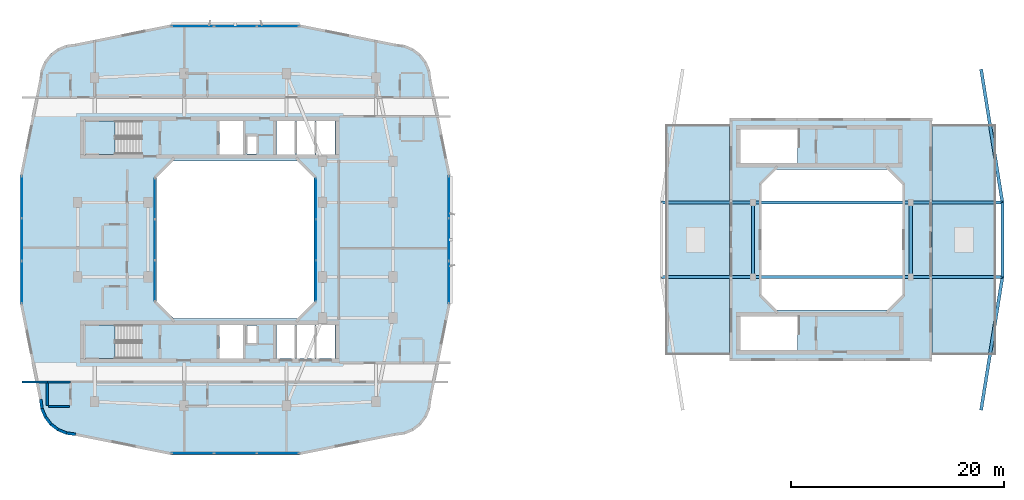
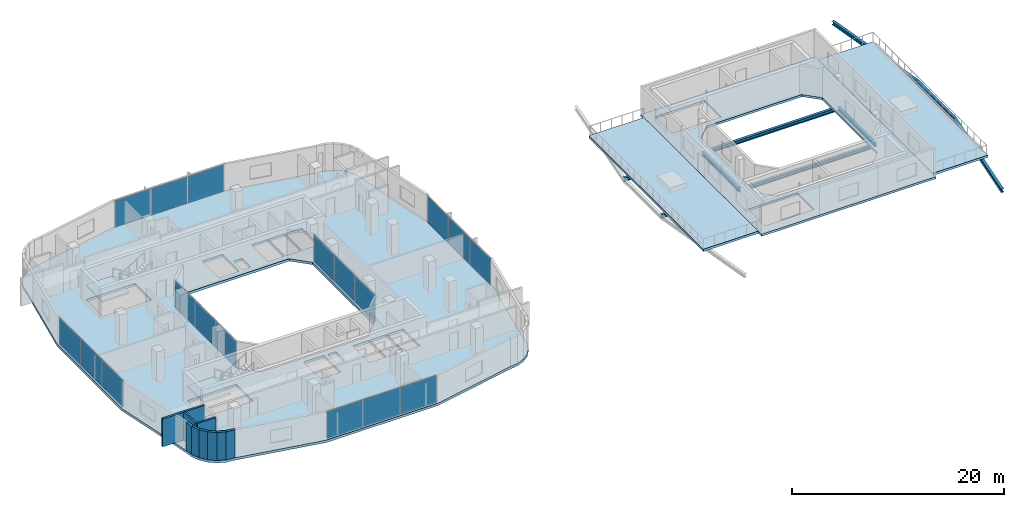
# One storey, part 7 of 18: 18 plates, 11 beams, 10 walls, 6 slabs, 8 elements without a shape of their own.
"""IFC4 building model written with IfcOpenShell, lengths in metres."""

import ifcopenshell
import ifcopenshell.guid

model = None  # the IFC model being written
_history = None  # IfcOwnerHistory: only IFC2X3 demands one
_inside = {}  # id of a spatial element -> (the spatial element, [elements in it])
_under = {}  # id of a project, library or spatial element -> (it, [spatial elements below it])
_declared = {}  # id of a project -> (the project, [libraries it declares])
_typed = {}  # id of a type object -> (the type object, [elements of that type])
_made_of = {}  # id of a material, layer set ... -> (it, [elements and type objects made of it])


def new_model(schema):
    """Start an empty IFC model of exactly this schema.

    Asked for "IFC4X3", IfcOpenShell would pick the latest addendum, in which some entities
    have other attributes; the version numbers below select the first issue.
    IFC2X3 requires an IfcOwnerHistory on every rooted entity: one is made here for all.
    """
    global model, _history
    if schema == "IFC4X3":
        model = ifcopenshell.file(schema_version=(4, 3, 0, 0))
    else:
        model = ifcopenshell.file(schema=schema)
    _inside.clear()
    _under.clear()
    _declared.clear()
    _typed.clear()
    _made_of.clear()
    _history = None
    if model.schema == "IFC2X3":
        org = make("IfcOrganization", Name="unknown")
        user = make(
            "IfcPersonAndOrganization",
            ThePerson=make("IfcPerson", FamilyName="unknown"),
            TheOrganization=org,
        )
        app = make(
            "IfcApplication",
            ApplicationDeveloper=org,
            Version="unknown",
            ApplicationFullName="unknown",
            ApplicationIdentifier="unknown",
        )
        _history = make(
            "IfcOwnerHistory",
            OwningUser=user,
            OwningApplication=app,
            ChangeAction="ADDED",
            CreationDate=0,
        )
    return model


def make(cls, **values):
    """One entity of the class cls with the attributes given. An attribute that is None is left unset."""
    return model.create_entity(
        cls, **{name: value for name, value in values.items() if value is not None}
    )


def rooted(cls, **values):
    """An entity with a GlobalId (a new one), such as an element, a storey or a relation."""
    return make(cls, GlobalId=ifcopenshell.guid.new(), OwnerHistory=_history, **values)


def si_unit(unit_type, name, prefix=None):
    """IfcSIUnit, for example si_unit("LENGTHUNIT", "METRE", prefix="MILLI")."""
    return make("IfcSIUnit", UnitType=unit_type, Prefix=prefix, Name=name)


def derived_unit(unit_type, elements):
    """IfcDerivedUnit: a product of units, each with its exponent."""
    return make(
        "IfcDerivedUnit",
        Elements=[
            make("IfcDerivedUnitElement", Unit=unit, Exponent=power)
            for unit, power in elements
        ],
        UnitType=unit_type,
    )


def assignment(units):
    """IfcUnitAssignment: the units of a project."""
    return None if units is None else make("IfcUnitAssignment", Units=units)


def point(xyz):
    """IfcCartesianPoint."""
    return None if xyz is None else make("IfcCartesianPoint", Coordinates=xyz)


def direction(xyz):
    """IfcDirection."""
    return None if xyz is None else make("IfcDirection", DirectionRatios=xyz)


def frame(location, z_axis=None, x_axis=None):
    """IfcAxis2Placement3D, a coordinate frame: its origin and axes. An axis left out is left unset."""
    return make(
        "IfcAxis2Placement3D",
        Location=point(location),
        Axis=direction(z_axis),
        RefDirection=direction(x_axis),
    )


def frame_2d(location, x_axis=None):
    """IfcAxis2Placement2D, a coordinate frame in the plane: its origin and x axis."""
    return make(
        "IfcAxis2Placement2D", Location=point(location), RefDirection=direction(x_axis)
    )


def origin():
    """The frame at (0, 0, 0) with its axes left unset."""
    return frame((0.0, 0.0, 0.0))


def origin_2d():
    """The frame at (0, 0) in the plane with its x axis left unset."""
    return frame_2d((0.0, 0.0))


def place(relative_to, where):
    """IfcLocalPlacement: puts the frame where relative to a parent placement (None: the world)."""
    return make(
        "IfcLocalPlacement", PlacementRelTo=relative_to, RelativePlacement=where
    )


def context(
    kind, dimensions, precision=None, world=None, true_north=None, identifier=None
):
    """IfcGeometricRepresentationContext, for example the 3D "Model" context."""
    return make(
        "IfcGeometricRepresentationContext",
        ContextIdentifier=identifier,
        ContextType=kind,
        CoordinateSpaceDimension=dimensions,
        Precision=precision,
        WorldCoordinateSystem=world,
        TrueNorth=true_north,
    )


def subcontext(parent, identifier, kind, view, scale=None):
    """IfcGeometricRepresentationSubContext, for example "Body" below "Model"."""
    return make(
        "IfcGeometricRepresentationSubContext",
        ContextIdentifier=identifier,
        ContextType=kind,
        ParentContext=parent,
        TargetScale=scale,
        TargetView=view,
    )


def project(units=None, contexts=None):
    """IfcProject with its units and contexts."""
    return rooted(
        "IfcProject",
        Name="project",
        RepresentationContexts=contexts,
        UnitsInContext=assignment(units),
    )


def spatial(cls, under=None, at=None, **own):
    """A site, building, storey or space (cls), placed at a placement, below another one or the project."""
    s = rooted(cls, ObjectPlacement=at, **own)
    if under is not None:
        _under.setdefault(under.id(), (under, []))[1].append(s)
    return s


def polyline(points):
    """IfcPolyline through the points."""
    return make("IfcPolyline", Points=[point(p) for p in points])


def profile(cls, at=None, kind="AREA", **sizes):
    """A parametric profile (cls). Its sizes go by their IFC names, for example OverallWidth=200.0."""
    return make(cls, ProfileType=kind, Position=at, **sizes)


def rectangle(**sizes):
    """IfcRectangleProfileDef."""
    return profile("IfcRectangleProfileDef", **sizes)


def i_section(**sizes):
    """IfcIShapeProfileDef."""
    return profile("IfcIShapeProfileDef", **sizes)


def outline(outer, holes=None, kind="AREA"):
    """IfcArbitraryClosedProfileDef: a profile drawn as a closed curve; with holes, ...WithVoids."""
    if holes is None:
        return make("IfcArbitraryClosedProfileDef", ProfileType=kind, OuterCurve=outer)
    return make(
        "IfcArbitraryProfileDefWithVoids",
        ProfileType=kind,
        OuterCurve=outer,
        InnerCurves=holes,
    )


def extrude(swept, where, along, depth):
    """IfcExtrudedAreaSolid: the profile swept, set in the frame where, extruded along a direction by depth."""
    return make(
        "IfcExtrudedAreaSolid",
        SweptArea=swept,
        Position=where,
        ExtrudedDirection=direction(along),
        Depth=depth,
    )


def shape(context_of_items, identifier, shape_type, items):
    """IfcShapeRepresentation: the items that make up one representation, for example the "Body"."""
    return make(
        "IfcShapeRepresentation",
        ContextOfItems=context_of_items,
        RepresentationIdentifier=identifier,
        RepresentationType=shape_type,
        Items=items,
    )


def material(Name=None, Category=None):
    """IfcMaterial."""
    return make("IfcMaterial", Name=Name, Category=Category)


def layer(
    of_material, thickness, ventilated=None, Name=None, Category=None, Priority=None
):
    """IfcMaterialLayer: one layer of a wall or slab, of a material (None: an air gap)."""
    return make(
        "IfcMaterialLayer",
        Material=of_material,
        LayerThickness=thickness,
        IsVentilated=ventilated,
        Name=Name,
        Category=Category,
        Priority=Priority,
    )


def layer_set(layers, Name=None):
    """IfcMaterialLayerSet."""
    return make("IfcMaterialLayerSet", MaterialLayers=layers, LayerSetName=Name)


def material_profile(
    of_material, cross_section, Name=None, Category=None, Priority=None
):
    """IfcMaterialProfile: a cross section and its material."""
    return make(
        "IfcMaterialProfile",
        Name=Name,
        Material=of_material,
        Profile=cross_section,
        Priority=Priority,
        Category=Category,
    )


def profile_set(profiles, Name=None, composite=None):
    """IfcMaterialProfileSet."""
    return make(
        "IfcMaterialProfileSet",
        Name=Name,
        MaterialProfiles=profiles,
        CompositeProfile=composite,
    )


def made_of(thing, what):
    """Note that an element or type object is made of a material, layer set ...; save() writes the relation."""
    if what is not None:
        _made_of.setdefault(what.id(), (what, []))[1].append(thing)
    return thing


def type_object(cls, material=None, **own):
    """A type object (cls), such as IfcWallType, which elements share."""
    return made_of(rooted(cls, **own), material)


def element(
    cls,
    number,
    at=None,
    inside=None,
    cuts=None,
    type_object=None,
    material=None,
    context=None,
    identifier="Body",
    shape_type=None,
    held_by="IfcProductDefinitionShape",
    body=None,
    shapes=None,
    **own,
):
    """One element of the class cls, such as IfcWall. Its Tag is "e" and its number.

    at: its placement. inside: the storey or other place that contains it. cuts: it is an
    opening in that element (IfcRelVoidsElement). A single representation is given by context,
    identifier, shape_type and body (its items); several are given by shapes. held_by: the class
    of the entity that holds the representations. save() writes the other relations.
    """
    e = rooted(cls, Tag="e%d" % number, ObjectPlacement=at, **own)
    if body is not None:
        shapes = [shape(context, identifier, shape_type, body)]
    if shapes is not None:
        e.Representation = make(held_by, Representations=shapes)
    if inside is not None:
        _inside.setdefault(inside.id(), (inside, []))[1].append(e)
    if cuts is not None:
        rooted(
            "IfcRelVoidsElement", RelatingBuildingElement=cuts, RelatedOpeningElement=e
        )
    if type_object is not None:
        _typed.setdefault(type_object.id(), (type_object, []))[1].append(e)
    return made_of(e, material)


def aggregate(whole, parts):
    """IfcRelAggregates: a whole, such as a stair, and the parts it consists of."""
    return rooted("IfcRelAggregates", RelatingObject=whole, RelatedObjects=parts)


def save(model, path):
    """Write the relations noted so far, then the file.

    IfcRelAggregates (storeys below a building ...), IfcRelContainedInSpatialStructure (elements
    in a storey), IfcRelDefinesByType, IfcRelAssociatesMaterial and IfcRelDeclares: one each for
    every whole, place, type object, material and project.
    """
    for whole, parts in _under.values():
        aggregate(whole, parts)
    for where, things in _inside.values():
        rooted(
            "IfcRelContainedInSpatialStructure",
            RelatedElements=things,
            RelatingStructure=where,
        )
    for kind, things in _typed.values():
        rooted("IfcRelDefinesByType", RelatedObjects=things, RelatingType=kind)
    for what, things in _made_of.values():
        rooted("IfcRelAssociatesMaterial", RelatedObjects=things, RelatingMaterial=what)
    for by, libraries in _declared.values():
        rooted("IfcRelDeclares", RelatingContext=by, RelatedDefinitions=libraries)
    model.write(path)


model = new_model("IFC4")

# Units and contexts
model_context = context("Model", 3, precision=1e-05, world=origin(), true_north=direction((0.0, 1.0)))
body_context = subcontext(model_context, "Body", "Model", "MODEL_VIEW")
ifc_project = project(units=[si_unit("LENGTHUNIT", "METRE"), si_unit("AREAUNIT", "SQUARE_METRE"), si_unit("VOLUMEUNIT", "CUBIC_METRE"), si_unit("PLANEANGLEUNIT", "RADIAN"), si_unit("MASSUNIT", "GRAM", prefix="KILO"), derived_unit("THERMALTRANSMITTANCEUNIT", [(si_unit("POWERUNIT", "WATT"), 1), (si_unit("LENGTHUNIT", "METRE"), -2), (si_unit("THERMODYNAMICTEMPERATUREUNIT", "KELVIN"), -1)])], contexts=[model_context])

# Site, building, storey
site_placement = place(None, origin())
site = spatial("IfcSite", under=ifc_project, at=site_placement, CompositionType="ELEMENT")
building_placement = place(site_placement, origin())
building = spatial("IfcBuilding", under=site, at=building_placement, Name="Kivonza Crest Hotel", CompositionType="ELEMENT")
storey_placement = place(building_placement, frame((0.0, 0.0, 131.0)))
storey = spatial("IfcBuildingStorey", under=building, at=storey_placement, Name="L35", CompositionType="ELEMENT", Elevation=131.0)

# Beams
ifc_material_1 = material(Name="Steel S355", Category="steel")
ifc_material_profile = material_profile(ifc_material_1, i_section(OverallWidth=0.300048828125, OverallDepth=0.39990234375, WebThickness=0.013427734375, FlangeThickness=0.02392578125, FilletRadius=0.027099609375, at=origin_2d()), Name="HEB 400")
ifc_profile_set = profile_set([ifc_material_profile], Name="Steel S355")
beam_type = type_object("IfcBeamType", Name="BM-HEB400", PredefinedType="BEAM", material=ifc_profile_set)
for number, where, z_axis, x_axis, name in (
    (1, (69.60009765625, 21.5, -0.449951171875), (0.0, 1.0, 0.0), (-1.0, 0.0, 0.0), "Companion L35 pavilion beam T2-WL1-T2-WL2"),
    (2, (84.39990234375, 21.5, -0.449951171875), (0.0, 1.0, 0.0), (-1.0, 0.0, 0.0), "Companion L35 pavilion beam T2-WR1-T2-WR2"),
):
    element("IfcBeam", number, at=place(storey_placement, frame(where, z_axis=z_axis, x_axis=x_axis)), inside=storey, type_object=beam_type, Name=name, PredefinedType="BEAM", context=body_context, shape_type="SweptSolid", body=[
        extrude(i_section(OverallWidth=0.300048828125, OverallDepth=0.39990234375, WebThickness=0.013427734375, FlangeThickness=0.02392578125, FilletRadius=0.027099609375, at=origin_2d()), origin(), (0.0, 0.0, 1.0), 7.0),
    ])
for number, where, z_axis, x_axis, name in (
    (3, (69.60009765625, 21.5, -0.449951171875), (1.0, 0.0, 0.0), (0.0, 1.0, 0.0), "Companion L35 pavilion beam T2-WL1-T2-WR1"),
    (4, (69.60009765625, 28.5, -0.449951171875), (1.0, 0.0, 0.0), (0.0, 1.0, 0.0), "Companion L35 pavilion beam T2-WL2-T2-WR2"),
):
    element("IfcBeam", number, at=place(storey_placement, frame(where, z_axis=z_axis, x_axis=x_axis)), inside=storey, type_object=beam_type, Name=name, PredefinedType="BEAM", context=body_context, shape_type="SweptSolid", body=[
        extrude(i_section(OverallWidth=0.300048828125, OverallDepth=0.39990234375, WebThickness=0.013427734375, FlangeThickness=0.02392578125, FilletRadius=0.027099609375, at=origin_2d()), origin(), (0.0, 0.0, 1.0), 14.7998046875),
    ])
for number, where, z_axis, x_axis, name in (
    (5, (61.0, 21.5, -0.4599609375), (1.0, 0.0, 0.0), (0.0, 1.0, 0.0), "Companion L35 rooftop terrace girder TW-S"),
    (6, (61.0, 28.5, -0.4599609375), (1.0, 0.0, 0.0), (0.0, 1.0, 0.0), "Companion L35 rooftop terrace girder TW-N"),
    (7, (84.39990234375, 21.5, -0.4599609375), (1.0, 0.0, 0.0), (0.0, 1.0, 0.0), "Companion L35 rooftop terrace girder TE-S"),
    (8, (84.39990234375, 28.5, -0.4599609375), (1.0, 0.0, 0.0), (0.0, 1.0, 0.0), "Companion L35 rooftop terrace girder TE-N"),
):
    element("IfcBeam", number, at=place(storey_placement, frame(where, z_axis=z_axis, x_axis=x_axis)), inside=storey, type_object=beam_type, Name=name, PredefinedType="BEAM", context=body_context, shape_type="SweptSolid", body=[
        extrude(i_section(OverallWidth=0.300048828125, OverallDepth=0.39990234375, WebThickness=0.013427734375, FlangeThickness=0.02392578125, FilletRadius=0.027099609375, at=origin_2d()), origin(), (0.0, 0.0, 1.0), 8.60009765625),
    ])
beam_placement = place(storey_placement, frame((93.0, 21.5, -0.4599609375), z_axis=(0.0, 1.0, 0.0), x_axis=(-1.0, 0.0, 0.0)))
element("IfcBeam", 9, at=beam_placement, inside=storey, type_object=beam_type, Name="Companion L35 rooftop terrace girder TE-E", PredefinedType="BEAM", context=body_context, shape_type="SweptSolid", body=[
    extrude(i_section(OverallWidth=0.300048828125, OverallDepth=0.39990234375, WebThickness=0.013427734375, FlangeThickness=0.02392578125, FilletRadius=0.027099609375, at=origin_2d()), origin(), (0.0, 0.0, 1.0), 7.0),
])
for number, where, z_axis, x_axis, name in (
    (10, (91.0, 9.0, -0.4599609375), (0.157990501107, 0.987440631917, 0.0), (-0.987440631917, 0.157990501107, 0.0), "Companion L35 rooftop terrace girder TE-SE"),
    (11, (93.0, 28.5, -0.4599609375), (-0.157990501107, 0.987440631917, 0.0), (-0.987440631917, -0.157990501107, 0.0), "Companion L35 rooftop terrace girder TE-NE"),
):
    element("IfcBeam", number, at=place(storey_placement, frame(where, z_axis=z_axis, x_axis=x_axis)), inside=storey, type_object=beam_type, Name=name, PredefinedType="BEAM", context=body_context, shape_type="SweptSolid", body=[
        extrude(i_section(OverallWidth=0.300048828125, OverallDepth=0.39990234375, WebThickness=0.013427734375, FlangeThickness=0.02392578125, FilletRadius=0.027099609375, at=origin_2d()), origin(), (0.0, 0.0, 1.0), 12.658935546875),
    ])

# Curtain wall, plates
ifc_material_2 = material(Name="Anodised bronze aluminium and low-E double glazing", Category="aluminium")
ifc_layer_1 = layer(ifc_material_2, 0.159912109375)
ifc_layer_set_1 = layer_set([ifc_layer_1], Name="Anodised bronze aluminium and low-E double glazing")
curtain_wall_type_1 = type_object("IfcCurtainWallType", Name="CW-SYS-5", PredefinedType="NOTDEFINED", material=ifc_layer_set_1)
curtain_wall_1_placement = place(storey_placement, origin())
curtain_wall_1 = element("IfcCurtainWall", 12, at=curtain_wall_1_placement, inside=storey, type_object=curtain_wall_type_1, Name="L35 unitised curtain wall CW-WELL-T1-L35-3", PredefinedType="NOTDEFINED")
ifc_material_3 = material(Name="Solar-control low-E double glazing", Category="glass")
ifc_layer_2 = layer(ifc_material_3, 0.028076171875)
ifc_layer_set_2 = layer_set([ifc_layer_2], Name="Solar-control low-E double glazing")
plate_type_1 = type_object("IfcPlateType", Name="CW-PNL-28", PredefinedType="CURTAIN_PANEL", material=ifc_layer_set_2)
plate_1_placement = place(storey_placement, frame((28.56005859375, 21.149658203125, 0.06494140625), z_axis=(0.0, 0.0, 1.0), x_axis=(0.0, 1.0, 0.0)))
plate_1 = element("IfcPlate", 13, at=plate_1_placement, type_object=plate_type_1, Name="CW-5 panel 1.1", PredefinedType="CURTAIN_PANEL", context=body_context, shape_type="SweptSolid", body=[
    extrude(rectangle(XDim=3.769287109375, YDim=0.028076171875, at=origin_2d()), origin(), (0.0, 0.0, 1.0), 3.090087890625),
])
plate_2_placement = place(storey_placement, frame((28.56005859375, 25.0, 0.06494140625), z_axis=(0.0, 0.0, 1.0), x_axis=(0.0, 1.0, 0.0)))
plate_2 = element("IfcPlate", 14, at=plate_2_placement, type_object=plate_type_1, Name="CW-5 panel 2.1", PredefinedType="CURTAIN_PANEL", context=body_context, shape_type="SweptSolid", body=[
    extrude(rectangle(XDim=3.8017578125, YDim=0.028076171875, at=origin_2d()), origin(), (0.0, 0.0, 1.0), 3.090087890625),
])
plate_3_placement = place(storey_placement, frame((28.56005859375, 28.850341796875, 0.06494140625), z_axis=(0.0, 0.0, 1.0), x_axis=(0.0, 1.0, 0.0)))
plate_3 = element("IfcPlate", 15, at=plate_3_placement, type_object=plate_type_1, Name="CW-5 panel 3.1", PredefinedType="CURTAIN_PANEL", context=body_context, shape_type="SweptSolid", body=[
    extrude(rectangle(XDim=3.769287109375, YDim=0.028076171875, at=origin_2d()), origin(), (0.0, 0.0, 1.0), 3.090087890625),
])
aggregate(curtain_wall_1, [plate_1, plate_2, plate_3])

curtain_wall_2_placement = place(storey_placement, origin())
curtain_wall_2 = element("IfcCurtainWall", 16, at=curtain_wall_2_placement, inside=storey, type_object=curtain_wall_type_1, Name="L35 unitised curtain wall CW-WELL-T1-L35-7", PredefinedType="NOTDEFINED")
plate_4_placement = place(storey_placement, frame((13.43994140625, 28.850341796875, 0.06494140625), z_axis=(0.0, 0.0, 1.0), x_axis=(0.0, -1.0, 0.0)))
plate_4 = element("IfcPlate", 17, at=plate_4_placement, type_object=plate_type_1, Name="CW-5 panel 1.1", PredefinedType="CURTAIN_PANEL", context=body_context, shape_type="SweptSolid", body=[
    extrude(rectangle(XDim=3.769287109375, YDim=0.028076171875, at=origin_2d()), origin(), (0.0, 0.0, 1.0), 3.090087890625),
])
plate_5_placement = place(storey_placement, frame((13.43994140625, 25.0, 0.06494140625), z_axis=(0.0, 0.0, 1.0), x_axis=(0.0, -1.0, 0.0)))
plate_5 = element("IfcPlate", 18, at=plate_5_placement, type_object=plate_type_1, Name="CW-5 panel 2.1", PredefinedType="CURTAIN_PANEL", context=body_context, shape_type="SweptSolid", body=[
    extrude(rectangle(XDim=3.8017578125, YDim=0.028076171875, at=origin_2d()), origin(), (0.0, 0.0, 1.0), 3.090087890625),
])
plate_6_placement = place(storey_placement, frame((13.43994140625, 21.149658203125, 0.06494140625), z_axis=(0.0, 0.0, 1.0), x_axis=(0.0, -1.0, 0.0)))
plate_6 = element("IfcPlate", 19, at=plate_6_placement, type_object=plate_type_1, Name="CW-5 panel 3.1", PredefinedType="CURTAIN_PANEL", context=body_context, shape_type="SweptSolid", body=[
    extrude(rectangle(XDim=3.769287109375, YDim=0.028076171875, at=origin_2d()), origin(), (0.0, 0.0, 1.0), 3.090087890625),
])
aggregate(curtain_wall_2, [plate_4, plate_5, plate_6])

ifc_layer_3 = layer(ifc_material_2, 0.179931640625)
ifc_layer_set_3 = layer_set([ifc_layer_3], Name="Anodised bronze aluminium and low-E double glazing")
curtain_wall_type_2 = type_object("IfcCurtainWallType", Name="CW-SYS-3", PredefinedType="NOTDEFINED", material=ifc_layer_set_3)
curtain_wall_3_placement = place(storey_placement, origin())
curtain_wall_3 = element("IfcCurtainWall", 20, at=curtain_wall_3_placement, inside=storey, type_object=curtain_wall_type_2, Name="L35 unitised curtain wall CW-T1-L35-08", PredefinedType="NOTDEFINED")
ifc_material_4 = material(Name="Acoustic triple-laminated low-E glazing", Category="glass")
ifc_layer_4 = layer(ifc_material_4, 0.035888671875)
ifc_layer_set_4 = layer_set([ifc_layer_4], Name="Acoustic triple-laminated low-E glazing")
plate_type_2 = type_object("IfcPlateType", Name="CW-PNL-36", PredefinedType="CURTAIN_PANEL", material=ifc_layer_set_4)
plate_7_placement = place(storey_placement, frame((17.00537109375, 4.9599609375, 0.0751953125), z_axis=(0.0, 0.0, 1.0), x_axis=(1.0, 0.0, 0.0)))
plate_7 = element("IfcPlate", 21, at=plate_7_placement, type_object=plate_type_2, Name="CW-3 panel 1.1", PredefinedType="CURTAIN_PANEL", context=body_context, shape_type="SweptSolid", body=[
    extrude(rectangle(XDim=3.90087890625, YDim=0.035888671875, at=origin_2d()), origin(), (0.0, 0.0, 1.0), 3.070068359375),
])
plate_8_placement = place(storey_placement, frame((21.0, 4.9599609375, 0.0751953125), z_axis=(0.0, 0.0, 1.0), x_axis=(1.0, 0.0, 0.0)))
plate_8 = element("IfcPlate", 22, at=plate_8_placement, type_object=plate_type_2, Name="CW-3 panel 2.1", PredefinedType="CURTAIN_PANEL", context=body_context, shape_type="SweptSolid", body=[
    extrude(rectangle(XDim=3.938232421875, YDim=0.035888671875, at=origin_2d()), origin(), (0.0, 0.0, 1.0), 3.070068359375),
])
plate_9_placement = place(storey_placement, frame((24.99462890625, 4.9599609375, 0.0751953125), z_axis=(0.0, 0.0, 1.0), x_axis=(1.0, 0.0, 0.0)))
plate_9 = element("IfcPlate", 23, at=plate_9_placement, type_object=plate_type_2, Name="CW-3 panel 3.1", PredefinedType="CURTAIN_PANEL", context=body_context, shape_type="SweptSolid", body=[
    extrude(rectangle(XDim=3.90087890625, YDim=0.035888671875, at=origin_2d()), origin(), (0.0, 0.0, 1.0), 3.070068359375),
])
aggregate(curtain_wall_3, [plate_7, plate_8, plate_9])

curtain_wall_4_placement = place(storey_placement, origin())
curtain_wall_4 = element("IfcCurtainWall", 24, at=curtain_wall_4_placement, inside=storey, type_object=curtain_wall_type_2, Name="L35 unitised curtain wall CW-T1-L35-17", PredefinedType="NOTDEFINED")
plate_10_placement = place(storey_placement, frame((41.0400390625, 21.00537109375, 0.0751953125), z_axis=(0.0, 0.0, 1.0), x_axis=(0.0, 1.0, 0.0)))
plate_10 = element("IfcPlate", 25, at=plate_10_placement, type_object=plate_type_2, Name="CW-3 panel 1.1", PredefinedType="CURTAIN_PANEL", context=body_context, shape_type="SweptSolid", body=[
    extrude(rectangle(XDim=3.90087890625, YDim=0.035888671875, at=origin_2d()), origin(), (0.0, 0.0, 1.0), 3.070068359375),
])
plate_11_placement = place(storey_placement, frame((41.0400390625, 25.0, 0.0751953125), z_axis=(0.0, 0.0, 1.0), x_axis=(0.0, 1.0, 0.0)))
plate_11 = element("IfcPlate", 26, at=plate_11_placement, type_object=plate_type_2, Name="CW-3 panel 2.1", PredefinedType="CURTAIN_PANEL", context=body_context, shape_type="SweptSolid", body=[
    extrude(rectangle(XDim=3.938232421875, YDim=0.035888671875, at=origin_2d()), origin(), (0.0, 0.0, 1.0), 3.070068359375),
])
plate_12_placement = place(storey_placement, frame((41.0400390625, 28.99462890625, 0.0751953125), z_axis=(0.0, 0.0, 1.0), x_axis=(0.0, 1.0, 0.0)))
plate_12 = element("IfcPlate", 27, at=plate_12_placement, type_object=plate_type_2, Name="CW-3 panel 3.1", PredefinedType="CURTAIN_PANEL", context=body_context, shape_type="SweptSolid", body=[
    extrude(rectangle(XDim=3.90087890625, YDim=0.035888671875, at=origin_2d()), origin(), (0.0, 0.0, 1.0), 3.070068359375),
])
aggregate(curtain_wall_4, [plate_10, plate_11, plate_12])

curtain_wall_5_placement = place(storey_placement, origin())
curtain_wall_5 = element("IfcCurtainWall", 28, at=curtain_wall_5_placement, inside=storey, type_object=curtain_wall_type_2, Name="L35 unitised curtain wall CW-T1-L35-26", PredefinedType="NOTDEFINED")
plate_13_placement = place(storey_placement, frame((24.99462890625, 45.0400390625, 0.0751953125), z_axis=(0.0, 0.0, 1.0), x_axis=(-1.0, 0.0, 0.0)))
plate_13 = element("IfcPlate", 29, at=plate_13_placement, type_object=plate_type_2, Name="CW-3 panel 1.1", PredefinedType="CURTAIN_PANEL", context=body_context, shape_type="SweptSolid", body=[
    extrude(rectangle(XDim=3.90087890625, YDim=0.035888671875, at=origin_2d()), origin(), (0.0, 0.0, 1.0), 3.070068359375),
])
plate_14_placement = place(storey_placement, frame((21.0, 45.0400390625, 0.0751953125), z_axis=(0.0, 0.0, 1.0), x_axis=(-1.0, 0.0, 0.0)))
plate_14 = element("IfcPlate", 30, at=plate_14_placement, type_object=plate_type_2, Name="CW-3 panel 2.1", PredefinedType="CURTAIN_PANEL", context=body_context, shape_type="SweptSolid", body=[
    extrude(rectangle(XDim=3.938232421875, YDim=0.035888671875, at=origin_2d()), origin(), (0.0, 0.0, 1.0), 3.070068359375),
])
plate_15_placement = place(storey_placement, frame((17.00537109375, 45.0400390625, 0.0751953125), z_axis=(0.0, 0.0, 1.0), x_axis=(-1.0, 0.0, 0.0)))
plate_15 = element("IfcPlate", 31, at=plate_15_placement, type_object=plate_type_2, Name="CW-3 panel 3.1", PredefinedType="CURTAIN_PANEL", context=body_context, shape_type="SweptSolid", body=[
    extrude(rectangle(XDim=3.90087890625, YDim=0.035888671875, at=origin_2d()), origin(), (0.0, 0.0, 1.0), 3.070068359375),
])
aggregate(curtain_wall_5, [plate_13, plate_14, plate_15])

curtain_wall_6_placement = place(storey_placement, origin())
curtain_wall_6 = element("IfcCurtainWall", 32, at=curtain_wall_6_placement, inside=storey, type_object=curtain_wall_type_2, Name="L35 unitised curtain wall CW-T1-L35-35", PredefinedType="NOTDEFINED")
plate_16_placement = place(storey_placement, frame((0.9599609375, 28.99462890625, 0.0751953125), z_axis=(0.0, 0.0, 1.0), x_axis=(0.0, -1.0, 0.0)))
plate_16 = element("IfcPlate", 33, at=plate_16_placement, type_object=plate_type_2, Name="CW-3 panel 1.1", PredefinedType="CURTAIN_PANEL", context=body_context, shape_type="SweptSolid", body=[
    extrude(rectangle(XDim=3.90087890625, YDim=0.035888671875, at=origin_2d()), origin(), (0.0, 0.0, 1.0), 3.070068359375),
])
plate_17_placement = place(storey_placement, frame((0.9599609375, 25.0, 0.0751953125), z_axis=(0.0, 0.0, 1.0), x_axis=(0.0, -1.0, 0.0)))
plate_17 = element("IfcPlate", 34, at=plate_17_placement, type_object=plate_type_2, Name="CW-3 panel 2.1", PredefinedType="CURTAIN_PANEL", context=body_context, shape_type="SweptSolid", body=[
    extrude(rectangle(XDim=3.938232421875, YDim=0.035888671875, at=origin_2d()), origin(), (0.0, 0.0, 1.0), 3.070068359375),
])
plate_18_placement = place(storey_placement, frame((0.9599609375, 21.00537109375, 0.0751953125), z_axis=(0.0, 0.0, 1.0), x_axis=(0.0, -1.0, 0.0)))
plate_18 = element("IfcPlate", 35, at=plate_18_placement, type_object=plate_type_2, Name="CW-3 panel 3.1", PredefinedType="CURTAIN_PANEL", context=body_context, shape_type="SweptSolid", body=[
    extrude(rectangle(XDim=3.90087890625, YDim=0.035888671875, at=origin_2d()), origin(), (0.0, 0.0, 1.0), 3.070068359375),
])
aggregate(curtain_wall_6, [plate_16, plate_17, plate_18])

# Slab
ifc_material_5 = material(Name="Concrete C40/50", Category="concrete")
ifc_layer_5 = layer(ifc_material_5, 0.280029296875)
ifc_layer_set_5 = layer_set([ifc_layer_5], Name="Concrete C40/50")
slab_type_1 = type_object("IfcSlabType", Name="SL-HTL-280", PredefinedType="FLOOR", material=ifc_layer_set_5)
slab_1_placement = place(storey_placement, frame((0.0, 0.0, -0.280029296875)))
element("IfcSlab", 36, at=slab_1_placement, inside=storey, type_object=slab_type_1, Name="Tower T1 L35 floor slab", PredefinedType="FLOOR", context=body_context, shape_type="SweptSolid", body=[
    extrude(outline(polyline([(2.60009765625, 10.0), (2.716064453125, 9.1201171875), (3.055908203125, 8.300048828125), (3.595947265625, 7.595947265625), (4.300048828125, 7.055908203125), (5.1201171875, 6.716064453125), (6.0, 6.60009765625), (14.93994140625, 4.800048828125), (27.06005859375, 4.800048828125), (36.0, 6.60009765625), (36.8798828125, 6.716064453125), (37.699951171875, 7.055908203125), (38.404052734375, 7.595947265625), (38.944091796875, 8.300048828125), (39.283935546875, 9.1201171875), (39.39990234375, 10.0), (41.199951171875, 18.93994140625), (41.199951171875, 31.06005859375), (39.39990234375, 40.0), (39.283935546875, 40.8798828125), (38.944091796875, 41.699951171875), (38.404052734375, 42.404052734375), (37.699951171875, 42.944091796875), (36.8798828125, 43.283935546875), (36.0, 43.39990234375), (27.06005859375, 45.199951171875), (14.93994140625, 45.199951171875), (6.0, 43.39990234375), (5.1201171875, 43.283935546875), (4.300048828125, 42.944091796875), (3.595947265625, 42.404052734375), (3.055908203125, 41.699951171875), (2.716064453125, 40.8798828125), (2.60009765625, 40.0), (0.800048828125, 31.06005859375), (0.800048828125, 18.93994140625), (2.60009765625, 10.0)]), holes=[polyline([(15.199951171875, 17.60009765625), (26.800048828125, 17.60009765625), (28.39990234375, 19.199951171875), (28.39990234375, 30.800048828125), (26.800048828125, 32.39990234375), (15.199951171875, 32.39990234375), (13.60009765625, 30.800048828125), (13.60009765625, 19.199951171875), (15.199951171875, 17.60009765625)]), polyline([(6.800048828125, 33.02001953125), (12.159912109375, 33.02001953125), (12.159912109375, 36.159912109375), (6.800048828125, 36.159912109375), (6.800048828125, 33.02001953125)]), polyline([(6.800048828125, 13.860107421875), (12.159912109375, 13.860107421875), (12.159912109375, 17.0), (6.800048828125, 17.0), (6.800048828125, 13.860107421875)]), polyline([(22.080078125, 33.0400390625), (22.969970703125, 33.0400390625), (22.969970703125, 34.679931640625), (22.080078125, 34.679931640625), (22.080078125, 33.0400390625)]), polyline([(22.080078125, 15.320068359375), (22.969970703125, 15.320068359375), (22.969970703125, 16.9599609375), (22.080078125, 16.9599609375), (22.080078125, 15.320068359375)]), polyline([(19.5, 33.0), (21.699951171875, 33.0), (21.699951171875, 36.159912109375), (19.5, 36.159912109375), (19.5, 33.0)]), polyline([(24.860107421875, 33.0), (26.60693359375, 33.0), (26.60693359375, 36.159912109375), (24.860107421875, 36.159912109375), (24.860107421875, 33.0)]), polyline([(26.72705078125, 33.0), (28.472900390625, 33.0), (28.472900390625, 36.159912109375), (26.72705078125, 36.159912109375), (26.72705078125, 33.0)]), polyline([(28.593017578125, 33.0), (30.340087890625, 33.0), (30.340087890625, 36.159912109375), (28.593017578125, 36.159912109375), (28.593017578125, 33.0)]), polyline([(19.5, 13.840087890625), (21.699951171875, 13.840087890625), (21.699951171875, 17.0), (19.5, 17.0), (19.5, 13.840087890625)]), polyline([(24.860107421875, 13.840087890625), (26.60693359375, 13.840087890625), (26.60693359375, 17.0), (24.860107421875, 17.0), (24.860107421875, 13.840087890625)]), polyline([(26.72705078125, 13.840087890625), (28.472900390625, 13.840087890625), (28.472900390625, 17.0), (26.72705078125, 17.0), (26.72705078125, 13.840087890625)]), polyline([(28.593017578125, 13.840087890625), (30.340087890625, 13.840087890625), (30.340087890625, 17.0), (28.593017578125, 17.0), (28.593017578125, 13.840087890625)])]), origin(), (0.0, 0.0, 1.0), 0.280029296875),
])

# Stair, slab
stair_type = type_object("IfcStairType", Name="ST-DL-20R", PredefinedType="HALF_TURN_STAIR", material=ifc_material_5)
stair_1_placement = place(storey_placement, origin())
stair_1 = element("IfcStair", 37, at=stair_1_placement, inside=storey, type_object=stair_type, Name="L35 Protected Exit Stair ST-T1-N", PredefinedType="HALF_TURN_STAIR")
ifc_layer_6 = layer(ifc_material_5, 0.199951171875)
ifc_layer_set_6 = layer_set([ifc_layer_6], Name="Concrete C40/50")
slab_type_2 = type_object("IfcSlabType", Name="SL-LAND-200", PredefinedType="LANDING", material=ifc_layer_set_6)
slab_2_placement = place(storey_placement, frame((0.0, 0.0, 1.550048828125)))
slab_2 = element("IfcSlab", 38, at=slab_2_placement, type_object=slab_type_2, Name="ST-T1-N landing 1", PredefinedType="LANDING", context=body_context, shape_type="SweptSolid", body=[
    extrude(outline(polyline([(9.719970703125, 36.159912109375), (6.800048828125, 36.159912109375), (6.800048828125, 33.02001953125), (9.719970703125, 33.02001953125), (9.719970703125, 36.159912109375)])), origin(), (0.0, 0.0, 1.0), 0.199951171875),
])
aggregate(stair_1, [slab_2])

stair_2_placement = place(storey_placement, origin())
stair_2 = element("IfcStair", 39, at=stair_2_placement, inside=storey, type_object=stair_type, Name="L35 Protected Exit Stair ST-T1-S", PredefinedType="HALF_TURN_STAIR")
slab_3_placement = place(storey_placement, frame((0.0, 0.0, 1.550048828125)))
slab_3 = element("IfcSlab", 40, at=slab_3_placement, type_object=slab_type_2, Name="ST-T1-S landing 1", PredefinedType="LANDING", context=body_context, shape_type="SweptSolid", body=[
    extrude(outline(polyline([(9.719970703125, 17.0), (6.800048828125, 17.0), (6.800048828125, 13.860107421875), (9.719970703125, 13.860107421875), (9.719970703125, 17.0)])), origin(), (0.0, 0.0, 1.0), 0.199951171875),
])
aggregate(stair_2, [slab_3])

# Slabs
ifc_layer_7 = layer(ifc_material_5, 0.25)
ifc_layer_set_7 = layer_set([ifc_layer_7], Name="Concrete C40/50")
slab_type_3 = type_object("IfcSlabType", Name="SL-RES-250", PredefinedType="FLOOR", material=ifc_layer_set_7)
slab_4_placement = place(storey_placement, frame((0.0, 0.0, -0.25)))
element("IfcSlab", 41, at=slab_4_placement, inside=storey, type_object=slab_type_3, Name="Companion Tower T2 L35 rooftop garden pavilion floor", PredefinedType="FLOOR", context=body_context, shape_type="SweptSolid", body=[
    extrude(outline(polyline([(67.39990234375, 13.60009765625), (86.39990234375, 13.60009765625), (86.39990234375, 36.39990234375), (67.39990234375, 36.39990234375), (67.39990234375, 13.60009765625)]), holes=[polyline([(71.800048828125, 18.39990234375), (82.199951171875, 18.39990234375), (83.60009765625, 19.800048828125), (83.60009765625, 30.199951171875), (82.199951171875, 31.60009765625), (71.800048828125, 31.60009765625), (70.39990234375, 30.199951171875), (70.39990234375, 19.800048828125), (71.800048828125, 18.39990234375)]), polyline([(68.39990234375, 32.219970703125), (73.760009765625, 32.219970703125), (73.760009765625, 35.360107421875), (68.39990234375, 35.360107421875), (68.39990234375, 32.219970703125)]), polyline([(68.39990234375, 14.659912109375), (73.760009765625, 14.659912109375), (73.760009765625, 17.800048828125), (68.39990234375, 17.800048828125), (68.39990234375, 14.659912109375)])]), origin(), (0.0, 0.0, 1.0), 0.25),
])
ifc_layer_8 = layer(ifc_material_5, 0.260009765625)
ifc_layer_set_8 = layer_set([ifc_layer_8], Name="Concrete C40/50")
slab_type_4 = type_object("IfcSlabType", Name="SL-RTER-260", PredefinedType="FLOOR", material=ifc_layer_set_8)
slab_5_placement = place(storey_placement, frame((0.0, 0.0, -0.260009765625)))
element("IfcSlab", 42, at=slab_5_placement, inside=storey, type_object=slab_type_4, Name="Companion Tower T2 L35 West planted rooftop terrace", PredefinedType="FLOOR", context=body_context, shape_type="SweptSolid", body=[
    extrude(outline(polyline([(61.39990234375, 14.199951171875), (67.39990234375, 14.199951171875), (67.39990234375, 35.800048828125), (61.39990234375, 35.800048828125), (61.39990234375, 14.199951171875)])), origin(), (0.0, 0.0, 1.0), 0.260009765625),
])
slab_6_placement = place(storey_placement, frame((0.0, 0.0, -0.260009765625)))
element("IfcSlab", 43, at=slab_6_placement, inside=storey, type_object=slab_type_4, Name="Companion Tower T2 L35 East planted rooftop terrace", PredefinedType="FLOOR", context=body_context, shape_type="SweptSolid", body=[
    extrude(outline(polyline([(86.39990234375, 14.199951171875), (92.39990234375, 14.199951171875), (92.39990234375, 35.800048828125), (86.39990234375, 35.800048828125), (86.39990234375, 14.199951171875)])), origin(), (0.0, 0.0, 1.0), 0.260009765625),
])

# Walls
ifc_material_6 = material(Name="Autoclaved aerated concrete blockwork", Category="masonry")
ifc_layer_9 = layer(ifc_material_6, 0.219970703125)
ifc_layer_set_9 = layer_set([ifc_layer_9], Name="Autoclaved aerated concrete blockwork")
wall_type_1 = type_object("IfcWallType", Name="WL-ACOU-220", PredefinedType="SOLIDWALL", material=ifc_layer_set_9)
wall_1_placement = place(storey_placement, frame((0.9599609375, 11.64990234375, 0.0), z_axis=(0.0, 0.0, 1.0), x_axis=(1.0, 0.0, 0.0)))
element("IfcWall", 44, at=wall_1_placement, inside=storey, type_object=wall_type_1, Name="L35 interior partition WA-L35-S04-XCORR", PredefinedType="SOLIDWALL", context=body_context, shape_type="SweptSolid", body=[
    extrude(rectangle(XDim=2.39013671875, YDim=0.219970703125, at=frame_2d((1.195068359375, 0.0))), origin(), (0.0, 0.0, 1.0), 3.219970703125),
])
wall_2_placement = place(storey_placement, frame((3.35009765625, 11.64990234375, 0.0), z_axis=(0.0, 0.0, 1.0), x_axis=(1.0, 0.0, 0.0)))
element("IfcWall", 45, at=wall_2_placement, inside=storey, type_object=wall_type_1, Name="L35 interior partition WA-L35-S04-BCORR", PredefinedType="SOLIDWALL", context=body_context, shape_type="SweptSolid", body=[
    extrude(rectangle(XDim=2.199951171875, YDim=0.219970703125, at=frame_2d((1.10009765625, 0.0))), origin(), (0.0, 0.0, 1.0), 3.219970703125),
])
ifc_material_7 = material(Name="Precast concrete C40/50", Category="concrete")
ifc_layer_10 = layer(ifc_material_7, 0.260009765625)
ifc_layer_set_10 = layer_set([ifc_layer_10], Name="Precast concrete C40/50")
wall_type_2 = type_object("IfcWallType", Name="WL-EXT-260", PredefinedType="STANDARD", material=ifc_layer_set_10)
wall_3_placement = place(storey_placement, frame((2.72802734375, 10.02490234375, 0.0), z_axis=(0.0, 0.0, 1.0), x_axis=(0.130953706898, -0.991388484223, 0.0)))
element("IfcWall", 46, at=wall_3_placement, inside=storey, type_object=wall_type_2, Name="L35 T1 exterior insulated wall 1", PredefinedType="STANDARD", context=body_context, shape_type="SweptSolid", body=[
    extrude(rectangle(XDim=0.885498046875, YDim=0.260009765625, at=frame_2d((0.44287109375, 0.0))), origin(), (0.0, 0.0, 1.0), 3.219970703125),
])
wall_4_placement = place(storey_placement, frame((2.825927734375, 9.193115234375, 0.0), z_axis=(0.0, 0.0, 1.0), x_axis=(0.383290660547, -0.923627776508, 0.0)))
element("IfcWall", 47, at=wall_4_placement, inside=storey, type_object=wall_type_2, Name="L35 T1 exterior insulated wall 2", PredefinedType="STANDARD", context=body_context, shape_type="SweptSolid", body=[
    extrude(rectangle(XDim=0.9033203125, YDim=0.260009765625, at=frame_2d((0.45166015625, 0.0))), origin(), (0.0, 0.0, 1.0), 3.219970703125),
])
wall_5_placement = place(storey_placement, frame((3.14404296875, 8.39892578125, 0.0), z_axis=(0.0, 0.0, 1.0), x_axis=(0.608624690463, -0.793458244748, 0.0)))
element("IfcWall", 48, at=wall_5_placement, inside=storey, type_object=wall_type_2, Name="L35 T1 exterior insulated wall 3", PredefinedType="STANDARD", context=body_context, shape_type="SweptSolid", body=[
    extrude(rectangle(XDim=0.902099609375, YDim=0.260009765625, at=frame_2d((0.451171875, 0.0))), origin(), (0.0, 0.0, 1.0), 3.219970703125),
])
wall_6_placement = place(storey_placement, frame((3.655029296875, 7.714111328125, 0.0), z_axis=(0.0, 0.0, 1.0), x_axis=(0.793558456666, -0.608494022858, 0.0)))
element("IfcWall", 49, at=wall_6_placement, inside=storey, type_object=wall_type_2, Name="L35 T1 exterior insulated wall 4", PredefinedType="STANDARD", context=body_context, shape_type="SweptSolid", body=[
    extrude(rectangle(XDim=0.90234375, YDim=0.260009765625, at=frame_2d((0.451171875, 0.0))), origin(), (0.0, 0.0, 1.0), 3.219970703125),
])
wall_7_placement = place(storey_placement, frame((4.326904296875, 7.18603515625, 0.0), z_axis=(0.0, 0.0, 1.0), x_axis=(0.923683767999, -0.383155708213, 0.0)))
element("IfcWall", 50, at=wall_7_placement, inside=storey, type_object=wall_type_2, Name="L35 T1 exterior insulated wall 5", PredefinedType="STANDARD", context=body_context, shape_type="SweptSolid", body=[
    extrude(rectangle(XDim=0.90283203125, YDim=0.260009765625, at=frame_2d((0.451416015625, 0.0))), origin(), (0.0, 0.0, 1.0), 3.219970703125),
])
wall_8_placement = place(storey_placement, frame((5.112060546875, 6.847900390625, 0.0), z_axis=(0.0, 0.0, 1.0), x_axis=(0.991487658083, -0.130200706103, 0.0)))
element("IfcWall", 51, at=wall_8_placement, inside=storey, type_object=wall_type_2, Name="L35 T1 exterior insulated wall 6", PredefinedType="STANDARD", context=body_context, shape_type="SweptSolid", body=[
    extrude(rectangle(XDim=0.920654296875, YDim=0.260009765625, at=frame_2d((0.46044921875, 0.0))), origin(), (0.0, 0.0, 1.0), 3.219970703125),
])
ifc_material_8 = material(Name="Moisture-resistant plumbing chase partition wall", Category="gypsum")
ifc_layer_11 = layer(ifc_material_8, 0.199951171875)
ifc_layer_set_11 = layer_set([ifc_layer_11], Name="Moisture-resistant plumbing chase partition wall")
wall_type_3 = type_object("IfcWallType", Name="WL-PLUMB-200", PredefinedType="PLUMBINGWALL", material=ifc_layer_set_11)
wall_9_placement = place(storey_placement, frame((3.449951171875, 9.35009765625, 0.0), z_axis=(0.0, 0.0, 1.0), x_axis=(1.0, 0.0, 0.0)))
element("IfcWall", 52, at=wall_9_placement, inside=storey, type_object=wall_type_3, Name="L35 interior partition WW-L35-S04-BH", PredefinedType="PLUMBINGWALL", context=body_context, shape_type="SweptSolid", body=[
    extrude(rectangle(XDim=2.0, YDim=0.199951171875, at=frame_2d((1.0, 0.0))), origin(), (0.0, 0.0, 1.0), 3.219970703125),
])
wall_10_placement = place(storey_placement, frame((3.35009765625, 9.449951171875, 0.0), z_axis=(0.0, 0.0, 1.0), x_axis=(0.0, 1.0, 0.0)))
element("IfcWall", 53, at=wall_10_placement, inside=storey, type_object=wall_type_3, Name="L35 interior partition WW-L35-S04-BVW", PredefinedType="PLUMBINGWALL", context=body_context, shape_type="SweptSolid", body=[
    extrude(rectangle(XDim=2.10009765625, YDim=0.199951171875, at=frame_2d((1.050048828125, 0.0))), origin(), (0.0, 0.0, 1.0), 3.219970703125),
])

save(model, "model.ifc")
